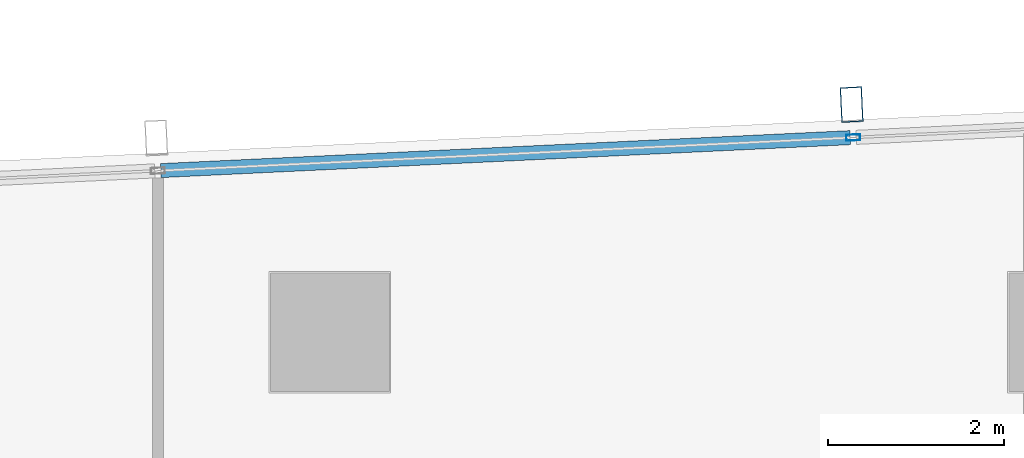
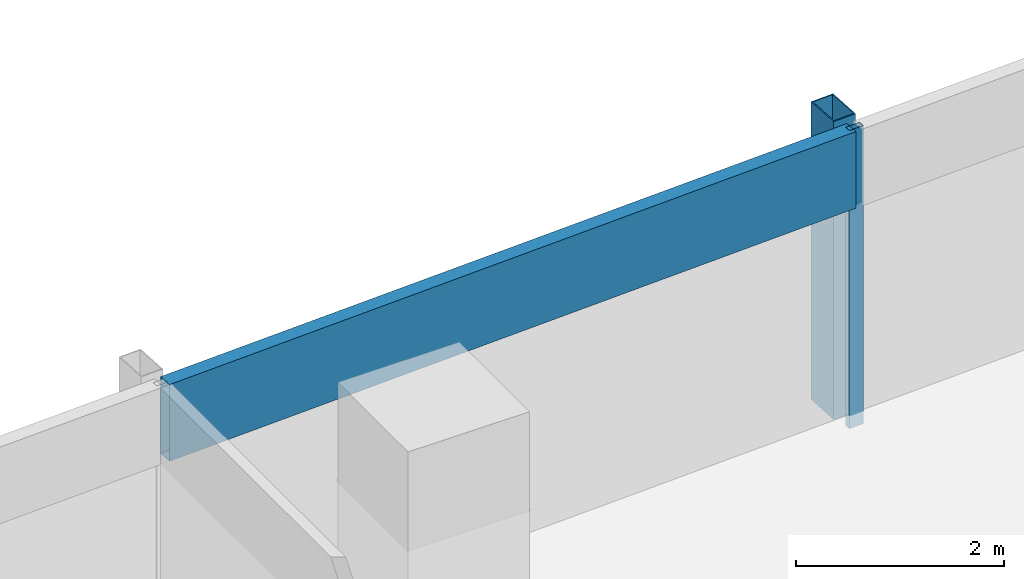
# One storey, part 15 of 35: 3 members, 1 element without a shape of its own.
"""IFC4 building model written with IfcOpenShell, lengths in metres."""

from ifc_helpers import new_model, si_unit, direction, frame, origin, origin_2d, place, context, subcontext, project, spatial, hollow_rectangle, extrude, material, material_profile, profile_set, type_object, element, aggregate, save


model = new_model("IFC4")

# Units and contexts
model_context = context("Model", 3, precision=1e-05, world=origin(), true_north=direction((0.0, 1.0)))
body_context = subcontext(model_context, "Body", "Model", "MODEL_VIEW")
ifc_project = project(units=[si_unit("LENGTHUNIT", "METRE"), si_unit("AREAUNIT", "SQUARE_METRE"), si_unit("VOLUMEUNIT", "CUBIC_METRE"), si_unit("PLANEANGLEUNIT", "RADIAN"), si_unit("MASSUNIT", "GRAM", prefix="KILO")], contexts=[model_context])

# Site, building, storey
site_placement = place(None, origin())
site = spatial("IfcSite", under=ifc_project, at=site_placement, CompositionType="ELEMENT")
building_placement = place(site_placement, origin())
building = spatial("IfcBuilding", under=site, at=building_placement, Name="Rekha Terrace Tower", CompositionType="ELEMENT")
storey_placement = place(building_placement, frame((0.0, 0.0, 191.449951171875)))
storey = spatial("IfcBuildingStorey", under=building, at=storey_placement, Name="L48", CompositionType="ELEMENT", Elevation=191.449951171875)

# Curtain wall, members
ifc_material_1 = material(Name="Aluminium framing", Category="aluminium")
curtain_wall_type = type_object("IfcCurtainWallType", Name="CW3 north unitised glazing", PredefinedType="USERDEFINED", material=ifc_material_1)
curtain_wall_placement = place(storey_placement, origin())
curtain_wall = element("IfcCurtainWall", 1, at=curtain_wall_placement, inside=storey, type_object=curtain_wall_type, Name="CW3 unitised curtain wall", ObjectType="UNITISED CURTAIN WALL", PredefinedType="USERDEFINED")
ifc_material_2 = material(Name="Steel S355 with fluorocarbon finish", Category="steel")
ifc_material_profile_1 = material_profile(ifc_material_2, hollow_rectangle(XDim=0.25, YDim=0.39990234375, WallThickness=0.012451171875, at=origin_2d()), Name="RHS400x250x12.5")
ifc_profile_set_1 = profile_set([ifc_material_profile_1], Name="Steel S355 with fluorocarbon finish")
member_type_1 = type_object("IfcMemberType", Name="BL1 facade blade RHS 400 x 250", PredefinedType="USERDEFINED", material=ifc_profile_set_1)
member_1_placement = place(storey_placement, frame((22.734130859375, 61.389404296875, 0.0), z_axis=(0.0, 0.0, 1.0), x_axis=(-0.998858913274, -0.04775846913, 0.0)))
member_1 = element("IfcMember", 2, at=member_1_placement, type_object=member_type_1, Name="Facade blade", ObjectType="FACADE BLADE", PredefinedType="USERDEFINED", context=body_context, shape_type="SweptSolid", body=[
    extrude(hollow_rectangle(XDim=0.25, YDim=0.39990234375, WallThickness=0.012451171875, at=origin_2d()), origin(), (0.0, 0.0, 1.0), 3.5),
])
ifc_material_3 = material(Name="Aluminium mullion section", Category="aluminium")
ifc_material_profile_2 = material_profile(ifc_material_3, hollow_rectangle(XDim=0.070068359375, YDim=0.159912109375, WallThickness=0.00390625, at=origin_2d()), Name="AL RHS 70x160")
ifc_profile_set_2 = profile_set([ifc_material_profile_2], Name="Aluminium mullion section")
member_type_2 = type_object("IfcMemberType", Name="CW3 mullion RHS 70 x 160", PredefinedType="MULLION", material=ifc_profile_set_2)
member_2_placement = place(storey_placement, frame((22.751953125, 61.014892578125, 0.0), z_axis=(0.0, 0.0, 1.0), x_axis=(0.047758616983, -0.998858906204, 0.0)))
member_2 = element("IfcMember", 3, at=member_2_placement, type_object=member_type_2, Name="CW3 mullion 4", PredefinedType="MULLION", context=body_context, shape_type="SweptSolid", body=[
    extrude(hollow_rectangle(XDim=0.070068359375, YDim=0.159912109375, WallThickness=0.00390625, at=origin_2d()), origin(), (0.0, 0.0, 1.0), 3.5),
])
ifc_material_4 = material(Name="Insulated aluminium spandrel box", Category="aluminium")
ifc_material_profile_3 = material_profile(ifc_material_4, hollow_rectangle(XDim=0.159912109375, YDim=0.89990234375, WallThickness=0.0029296875, at=origin_2d()), Name="AL SPANDREL BOX 160x900")
ifc_profile_set_3 = profile_set([ifc_material_profile_3], Name="Insulated aluminium spandrel box")
member_type_3 = type_object("IfcMemberType", Name="CW3 spandrel transom 160 x 900", PredefinedType="USERDEFINED", material=ifc_profile_set_3)
member_3_placement = place(storey_placement, frame((22.717041015625, 61.01318359375, 3.050048828125), z_axis=(-0.998859252362, -0.047751376635, 0.0), x_axis=(0.047751376635, -0.998859252362, 0.0)))
member_3 = element("IfcMember", 4, at=member_3_placement, type_object=member_type_3, Name="CW3 spandrel transom 4", ObjectType="TRANSOM", PredefinedType="USERDEFINED", context=body_context, shape_type="SweptSolid", body=[
    extrude(hollow_rectangle(XDim=0.159912109375, YDim=0.89990234375, WallThickness=0.0029296875, at=origin_2d()), origin(), (0.0, 0.0, 1.0), 7.84814453125),
])
aggregate(curtain_wall, [member_2, member_3, member_1])

save(model, "model.ifc")
